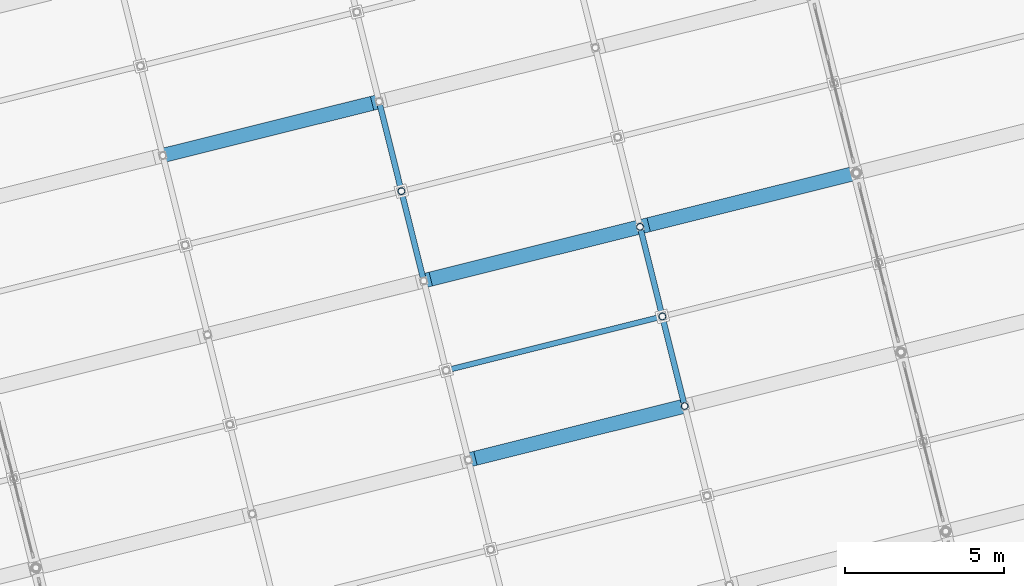
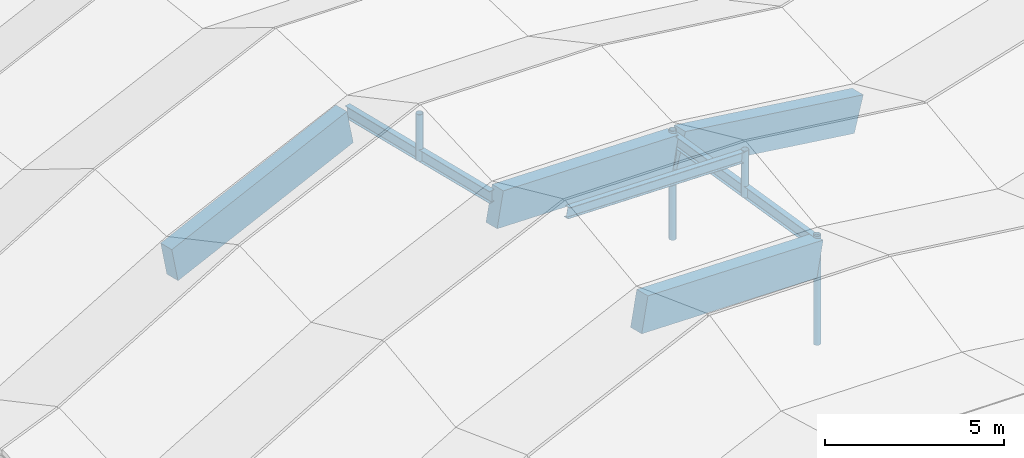
# One storey, part 22 of 65: 7 beams, 4 members.
"""IFC4 building model written with IfcOpenShell, lengths in metres."""

from ifc_helpers import new_model, si_unit, direction, frame, origin, origin_2d, place, context, subcontext, project, spatial, rectangle, hollow_circle, i_section, extrude, material, material_profile, profile_set, type_object, element, save


model = new_model("IFC4")

# Units and contexts
model_context = context("Model", 3, precision=1e-05, world=origin(), true_north=direction((0.0, 1.0)))
body_context = subcontext(model_context, "Body", "Model", "MODEL_VIEW")
ifc_project = project(units=[si_unit("LENGTHUNIT", "METRE"), si_unit("AREAUNIT", "SQUARE_METRE"), si_unit("VOLUMEUNIT", "CUBIC_METRE"), si_unit("PLANEANGLEUNIT", "RADIAN"), si_unit("MASSUNIT", "GRAM", prefix="KILO")], contexts=[model_context])

# Site, building, storey
site_placement = place(None, origin())
site = spatial("IfcSite", under=ifc_project, at=site_placement, CompositionType="ELEMENT")
building_placement = place(site_placement, origin())
building = spatial("IfcBuilding", under=site, at=building_placement, Name="Cinderway Yard Community Centre", CompositionType="ELEMENT")
storey_placement = place(building_placement, frame((0.0, 0.0, 24.300048828125)))
storey = spatial("IfcBuildingStorey", under=building, at=storey_placement, Name="RF", CompositionType="ELEMENT", Elevation=24.300048828125)

# Beams
ifc_material_1 = material(Name="Concrete C40/50", Category="concrete")
ifc_material_profile_1 = material_profile(ifc_material_1, rectangle(XDim=0.449951171875, YDim=1.199951171875, at=origin_2d()), Name="Concrete C40/50")
ifc_profile_set_1 = profile_set([ifc_material_profile_1], Name="Concrete C40/50")
beam_type_1 = type_object("IfcBeamType", Name="STR-BM-RC450X1200", PredefinedType="BEAM", material=ifc_profile_set_1)
for number, where, z_axis, x_axis, name in (
    (1, (30.68896484375, 39.784912109375, -2.927001953125), (0.950317734417, 0.236866299118, -0.20196672992), (-0.241850256561, 0.970313585086, 0.0), "Main Hall arch rib segment 03.3"),
    (2, (29.285888671875, 45.412109375, -2.275146484375), (0.950300706649, 0.236967702614, -0.201927895198), (-0.241951815503, 0.970288265916, 0.0), "Main Hall arch rib segment 04.3"),
):
    element("IfcBeam", number, at=place(storey_placement, frame(where, z_axis=z_axis, x_axis=x_axis)), inside=storey, type_object=beam_type_1, Name=name, PredefinedType="BEAM", context=body_context, shape_type="SweptSolid", body=[
        extrude(rectangle(XDim=0.449951171875, YDim=1.199951171875, at=origin_2d()), origin(), (0.0, 0.0, 1.0), 6.9326171875),
    ])
beam_1_placement = place(storey_placement, frame((36.077880859375, 47.10595703125, -3.675048828125), z_axis=(0.928198231003, 0.23141445514, -0.291368141557), x_axis=(-0.241910719241, 0.970298512787, 0.0)))
element("IfcBeam", 3, at=beam_1_placement, inside=storey, type_object=beam_type_1, Name="Main Hall arch rib segment 04.4", PredefinedType="BEAM", context=body_context, shape_type="SweptSolid", body=[
    extrude(rectangle(XDim=0.449951171875, YDim=1.199951171875, at=origin_2d()), origin(), (0.0, 0.0, 1.0), 7.207763671875),
])
beam_2_placement = place(storey_placement, frame((21.091064453125, 49.346923828125, -3.675048828125), z_axis=(0.950321081007, 0.236875911312, 0.201939707919), x_axis=(-0.241858695017, 0.970311481765, 0.0)))
element("IfcBeam", 4, at=beam_2_placement, inside=storey, type_object=beam_type_1, Name="Main Hall arch rib segment 05.2", PredefinedType="BEAM", context=body_context, shape_type="SweptSolid", body=[
    extrude(rectangle(XDim=0.449951171875, YDim=1.199951171875, at=origin_2d()), origin(), (0.0, 0.0, 1.0), 6.932373046875),
])
ifc_material_2 = material(Name="Steel S355", Category="steel")
ifc_material_profile_2 = material_profile(ifc_material_2, i_section(OverallWidth=0.172119140625, OverallDepth=0.35791015625, WebThickness=0.0078125, FlangeThickness=0.01318359375, FilletRadius=0.010986328125, at=origin_2d()), Name="Steel S355")
ifc_profile_set_2 = profile_set([ifc_material_profile_2], Name="Steel S355")
beam_type_2 = type_object("IfcBeamType", Name="STR-BM-W360X57", PredefinedType="JOIST", material=ifc_profile_set_2)
beam_3_placement = place(storey_placement, frame((29.988037109375, 42.597900390625, -1.006103515625), z_axis=(0.950289361775, 0.2370088721, -0.2019329677), x_axis=(-0.241994109311, 0.970277718521, 0.0)))
element("IfcBeam", 5, at=beam_3_placement, inside=storey, type_object=beam_type_2, Name="Folded-plate ridge beam B3.4", PredefinedType="JOIST", context=body_context, shape_type="SweptSolid", body=[
    extrude(i_section(OverallWidth=0.172119140625, OverallDepth=0.35791015625, WebThickness=0.0078125, FlangeThickness=0.01318359375, FilletRadius=0.010986328125, at=origin_2d()), origin(), (0.0, 0.0, 1.0), 6.9326171875),
])
ifc_material_profile_3 = material_profile(ifc_material_2, i_section(OverallWidth=0.178955078125, OverallDepth=0.409912109375, WebThickness=0.0087890625, FlangeThickness=0.013427734375, FilletRadius=0.011962890625, at=origin_2d()), Name="Steel S355")
ifc_profile_set_3 = profile_set([ifc_material_profile_3], Name="Steel S355")
beam_type_3 = type_object("IfcBeamType", Name="STR-BM-W410X67", PredefinedType="JOIST", material=ifc_profile_set_3)
beam_4_placement = place(storey_placement, frame((37.37890625, 41.452880859375, -3.93212890625), z_axis=(-0.240376929548, 0.964226914227, 0.111738040171), x_axis=(-0.970303247192, -0.241891728854, 0.0)))
element("IfcBeam", 6, at=beam_4_placement, inside=storey, type_object=beam_type_3, Name="Folded-plate valley beam B3-U21", PredefinedType="JOIST", context=body_context, shape_type="SweptSolid", body=[
    extrude(i_section(OverallWidth=0.178955078125, OverallDepth=0.409912109375, WebThickness=0.0087890625, FlangeThickness=0.013427734375, FilletRadius=0.011962890625, at=origin_2d()), origin(), (0.0, 0.0, 1.0), 5.8359375),
])
beam_5_placement = place(storey_placement, frame((29.18408203125, 45.386962890625, -1.880126953125), z_axis=(-0.2419017199, 0.97030075642, 0.0), x_axis=(-0.97030075642, -0.2419017199, 0.0)))
element("IfcBeam", 7, at=beam_5_placement, inside=storey, type_object=beam_type_3, Name="Folded-plate valley beam B4-U14", PredefinedType="JOIST", context=body_context, shape_type="SweptSolid", body=[
    extrude(i_section(OverallWidth=0.178955078125, OverallDepth=0.409912109375, WebThickness=0.0087890625, FlangeThickness=0.013427734375, FilletRadius=0.011962890625, at=origin_2d()), origin(), (0.0, 0.0, 1.0), 5.80029296875),
])

# Members
ifc_material_profile_4 = material_profile(ifc_material_2, hollow_circle(Radius=0.109619140625, WallThickness=0.010009765625, at=origin_2d()), Name="Steel S355")
ifc_profile_set_4 = profile_set([ifc_material_profile_4], Name="Steel S355")
member_type = type_object("IfcMemberType", Name="STR-MEM-STRUT-CHS219", PredefinedType="STRUT", material=ifc_profile_set_4)
for number, where, z_axis, x_axis, name in (
    (8, (37.37890625, 41.452880859375, -7.35693359375), (0.0, 0.0, 1.0), (1.0, 0.0, 0.0), "Arch rib web post 03-21"),
    (9, (35.97607421875, 47.080078125, -6.705078125), (0.0, 0.0, 1.0), (1.0, 0.0, 0.0), "Arch rib web post 04-21"),
):
    element("IfcMember", number, at=place(storey_placement, frame(where, z_axis=z_axis, x_axis=x_axis)), inside=storey, type_object=member_type, Name=name, PredefinedType="STRUT", context=body_context, shape_type="SweptSolid", body=[
        extrude(hollow_circle(Radius=0.109619140625, WallThickness=0.010009765625, at=origin_2d()), origin(), (0.0, 0.0, 1.0), 3.7099609375),
    ])
for number, where, z_axis, x_axis, name in (
    (10, (36.677978515625, 44.26708984375, -3.801025390625), (0.0, 0.0, 1.0), (1.0, 0.0, 0.0), "Folded-plate ridge kingpost B3-U21"),
    (11, (28.48291015625, 48.200927734375, -2.074951171875), (0.0, 0.0, 1.0), (1.0, 0.0, 0.0), "Folded-plate ridge kingpost B4-U14"),
):
    element("IfcMember", number, at=place(storey_placement, frame(where, z_axis=z_axis, x_axis=x_axis)), inside=storey, type_object=member_type, Name=name, PredefinedType="STRUT", context=body_context, shape_type="SweptSolid", body=[
        extrude(hollow_circle(Radius=0.109619140625, WallThickness=0.010009765625, at=origin_2d()), origin(), (0.0, 0.0, 1.0), 1.583984375),
    ])

save(model, "model.ifc")
